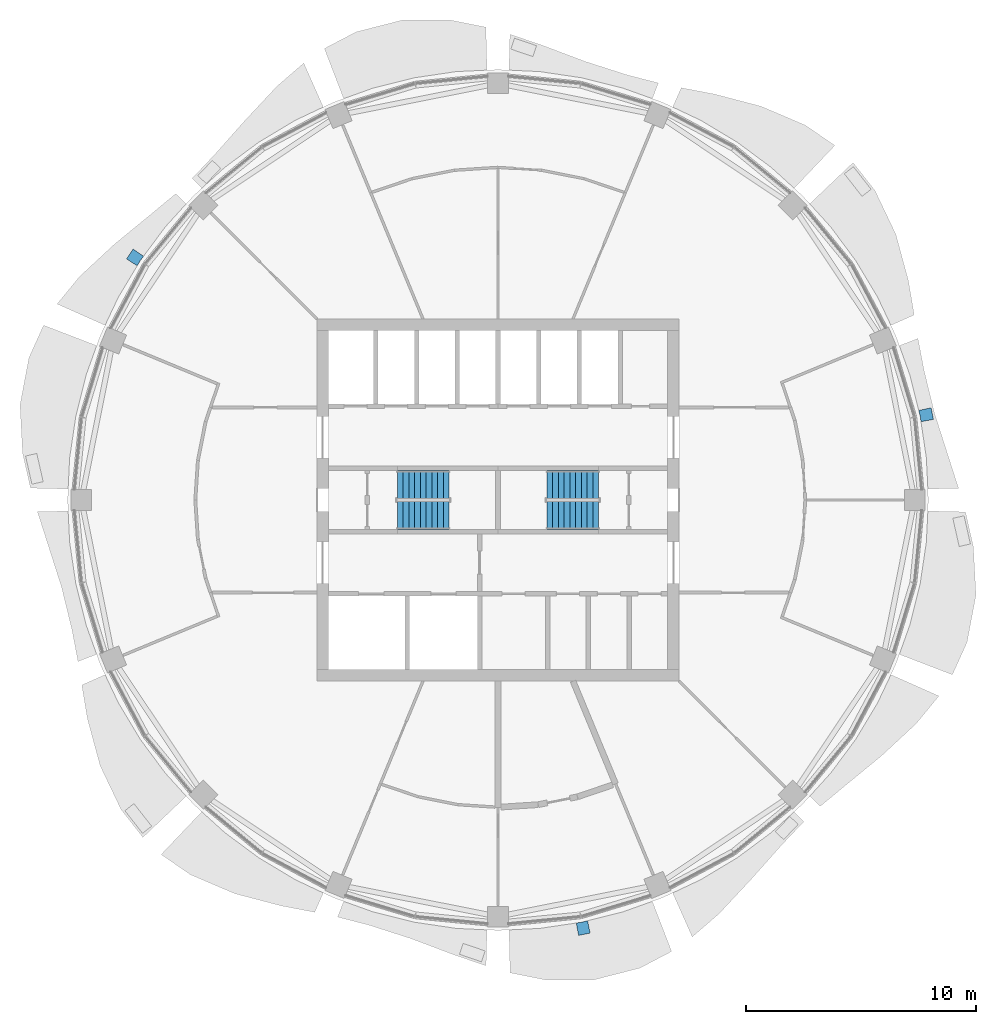
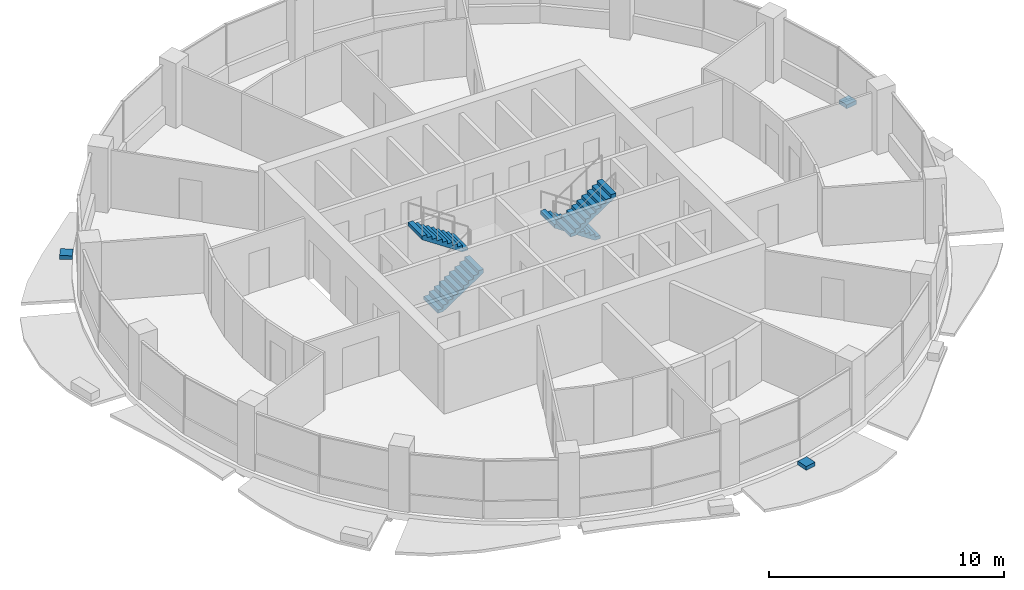
# One storey, part 11 of 15: 4 stair flights, 3 discrete accessories, 2 elements without a shape of their own.
"""IFC4 building model written with IfcOpenShell, lengths in metres."""

from ifc_helpers import new_model, si_unit, direction, frame, origin, place, context, subcontext, project, spatial, polyline, outline, extrude, material, type_object, element, aggregate, save


model = new_model("IFC4")

# Units and contexts
model_context = context("Model", 3, precision=1e-05, world=origin(), true_north=direction((0.0, 1.0)))
body_context = subcontext(model_context, "Body", "Model", "MODEL_VIEW")
ifc_project = project(units=[si_unit("LENGTHUNIT", "METRE"), si_unit("AREAUNIT", "SQUARE_METRE"), si_unit("VOLUMEUNIT", "CUBIC_METRE"), si_unit("PLANEANGLEUNIT", "RADIAN"), si_unit("MASSUNIT", "GRAM", prefix="KILO")], contexts=[model_context])

# Site, building, storey
site_placement = place(None, origin())
site = spatial("IfcSite", under=ifc_project, at=site_placement, CompositionType="ELEMENT")
building_placement = place(site_placement, origin())
building = spatial("IfcBuilding", under=site, at=building_placement, Name="Polderwave Tower", CompositionType="ELEMENT")
storey_placement = place(building_placement, frame((0.0, 0.0, 167.550048828125)))
storey = spatial("IfcBuildingStorey", under=building, at=storey_placement, Name="L44", CompositionType="ELEMENT", Elevation=167.550048828125)

# Stair, stair flights
ifc_material_1 = material(Name="Concrete C40/50", Category="concrete")
stair_type = type_object("IfcStairType", Name="Exit stair 1200 x 20 risers", PredefinedType="HALF_TURN_STAIR", material=ifc_material_1)
stair_1_placement = place(storey_placement, origin())
stair_1 = element("IfcStair", 1, at=stair_1_placement, inside=storey, type_object=stair_type, Name="L44 Exit stair A", PredefinedType="HALF_TURN_STAIR")
stair_flight_type = type_object("IfcStairFlightType", Name="Stair flight 1200", PredefinedType="STRAIGHT", material=ifc_material_1)
stair_flight_1_placement = place(storey_placement, frame((-4.3740234375, -0.675048828125, 0.0), z_axis=(0.0, 0.0, 1.0), x_axis=(1.0, 0.0, 0.0)))
stair_flight_1 = element("IfcStairFlight", 2, at=stair_flight_1_placement, type_object=stair_flight_type, Name="ST-A flight 1", NumberOfRisers=10, NumberOfTreads=9, PredefinedType="STRAIGHT", RiserHeight=0.1675, TreadLength=0.25, context=body_context, shape_type="SweptSolid", body=[
    extrude(outline(polyline([(0.0, 0.0), (0.0, 0.16748046875), (0.25, 0.16748046875), (0.25, 0.3349609375), (0.5, 0.3349609375), (0.5, 0.50244140625), (0.75, 0.50244140625), (0.75, 0.669921875), (1.0, 0.669921875), (1.0, 0.83740234375), (1.25, 0.83740234375), (1.25, 1.0048828125), (1.5, 1.0048828125), (1.5, 1.172607421875), (1.75, 1.172607421875), (1.75, 1.340087890625), (2.0, 1.340087890625), (2.0, 1.507568359375), (2.25, 1.507568359375), (2.25, 1.675048828125), (2.25, 1.3271484375), (0.269287109375, 0.0), (0.0, 0.0)])), frame((0.0, 0.60009765625, 0.0), z_axis=(0.0, -1.0, 0.0), x_axis=(1.0, 0.0, 0.0)), (0.0, 0.0, 1.0), 1.199951171875),
])
stair_flight_2_placement = place(storey_placement, frame((-2.1240234375, 0.675048828125, 1.675048828125), z_axis=(0.0, 0.0, 1.0), x_axis=(-1.0, 0.0, 0.0)))
stair_flight_2 = element("IfcStairFlight", 3, at=stair_flight_2_placement, type_object=stair_flight_type, Name="ST-A flight 2", NumberOfRisers=10, NumberOfTreads=9, PredefinedType="STRAIGHT", RiserHeight=0.1675, TreadLength=0.25, context=body_context, shape_type="SweptSolid", body=[
    extrude(outline(polyline([(0.0, 0.0), (0.0, 0.16748046875), (0.25, 0.16748046875), (0.25, 0.3349609375), (0.5, 0.3349609375), (0.5, 0.50244140625), (0.75, 0.50244140625), (0.75, 0.669921875), (1.0, 0.669921875), (1.0, 0.83740234375), (1.25, 0.83740234375), (1.25, 1.0048828125), (1.5, 1.0048828125), (1.5, 1.172607421875), (1.75, 1.172607421875), (1.75, 1.340087890625), (2.0, 1.340087890625), (2.0, 1.507568359375), (2.25, 1.507568359375), (2.25, 1.675048828125), (2.25, 1.3271484375), (0.269287109375, 0.0), (0.0, 0.0)])), frame((0.0, 0.60009765625, 0.0), z_axis=(0.0, -1.0, 0.0), x_axis=(1.0, 0.0, 0.0)), (0.0, 0.0, 1.0), 1.199951171875),
])
aggregate(stair_1, [stair_flight_1, stair_flight_2])

stair_2_placement = place(storey_placement, origin())
stair_2 = element("IfcStair", 4, at=stair_2_placement, inside=storey, type_object=stair_type, Name="L44 Exit stair B", PredefinedType="HALF_TURN_STAIR")
stair_flight_3_placement = place(storey_placement, frame((4.3740234375, 0.675048828125, 0.0), z_axis=(0.0, 0.0, 1.0), x_axis=(-1.0, 0.0, 0.0)))
stair_flight_3 = element("IfcStairFlight", 5, at=stair_flight_3_placement, type_object=stair_flight_type, Name="ST-B flight 1", NumberOfRisers=10, NumberOfTreads=9, PredefinedType="STRAIGHT", RiserHeight=0.1675, TreadLength=0.25, context=body_context, shape_type="SweptSolid", body=[
    extrude(outline(polyline([(0.0, 0.0), (0.0, 0.16748046875), (0.25, 0.16748046875), (0.25, 0.3349609375), (0.5, 0.3349609375), (0.5, 0.50244140625), (0.75, 0.50244140625), (0.75, 0.669921875), (1.0, 0.669921875), (1.0, 0.83740234375), (1.25, 0.83740234375), (1.25, 1.0048828125), (1.5, 1.0048828125), (1.5, 1.172607421875), (1.75, 1.172607421875), (1.75, 1.340087890625), (2.0, 1.340087890625), (2.0, 1.507568359375), (2.25, 1.507568359375), (2.25, 1.675048828125), (2.25, 1.3271484375), (0.269287109375, 0.0), (0.0, 0.0)])), frame((0.0, 0.60009765625, 0.0), z_axis=(0.0, -1.0, 0.0), x_axis=(1.0, 0.0, 0.0)), (0.0, 0.0, 1.0), 1.199951171875),
])
stair_flight_4_placement = place(storey_placement, frame((2.1240234375, -0.675048828125, 1.675048828125), z_axis=(0.0, 0.0, 1.0), x_axis=(1.0, 0.0, 0.0)))
stair_flight_4 = element("IfcStairFlight", 6, at=stair_flight_4_placement, type_object=stair_flight_type, Name="ST-B flight 2", NumberOfRisers=10, NumberOfTreads=9, PredefinedType="STRAIGHT", RiserHeight=0.1675, TreadLength=0.25, context=body_context, shape_type="SweptSolid", body=[
    extrude(outline(polyline([(0.0, 0.0), (0.0, 0.16748046875), (0.25, 0.16748046875), (0.25, 0.3349609375), (0.5, 0.3349609375), (0.5, 0.50244140625), (0.75, 0.50244140625), (0.75, 0.669921875), (1.0, 0.669921875), (1.0, 0.83740234375), (1.25, 0.83740234375), (1.25, 1.0048828125), (1.5, 1.0048828125), (1.5, 1.172607421875), (1.75, 1.172607421875), (1.75, 1.340087890625), (2.0, 1.340087890625), (2.0, 1.507568359375), (2.25, 1.507568359375), (2.25, 1.675048828125), (2.25, 1.3271484375), (0.269287109375, 0.0), (0.0, 0.0)])), frame((0.0, 0.60009765625, 0.0), z_axis=(0.0, -1.0, 0.0), x_axis=(1.0, 0.0, 0.0)), (0.0, 0.0, 1.0), 1.199951171875),
])
aggregate(stair_2, [stair_flight_3, stair_flight_4])

# Discrete accessories
ifc_material_2 = material(Name="Steel S355", Category="steel")
discrete_accessory_type = type_object("IfcDiscreteAccessoryType", Name="Band bracket pad", PredefinedType="BRACKET", material=ifc_material_2)
discrete_accessory_1_placement = place(storey_placement, frame((0.0, 0.0, -0.199951171875)))
element("IfcDiscreteAccessory", 7, at=discrete_accessory_1_placement, inside=storey, type_object=discrete_accessory_type, Name="Band bracket L44 1", PredefinedType="BRACKET", context=body_context, shape_type="SweptSolid", body=[
    extrude(outline(polyline([(18.37744140625, 3.40087890625), (18.3408203125, 3.648193359375), (18.27978515625, 3.890625), (18.81787109375, 4.005126953125), (18.918212890625, 3.5009765625), (18.37744140625, 3.40087890625)])), origin(), (0.0, 0.0, 1.0), 0.199951171875),
])
discrete_accessory_2_placement = place(storey_placement, frame((0.0, 0.0, -0.199951171875)))
element("IfcDiscreteAccessory", 8, at=discrete_accessory_2_placement, inside=storey, type_object=discrete_accessory_type, Name="Band bracket L44 7", PredefinedType="BRACKET", context=body_context, shape_type="SweptSolid", body=[
    extrude(outline(polyline([(-15.399658203125, 10.590087890625), (-15.548583984375, 10.38916015625), (-15.677001953125, 10.1748046875), (-16.138427734375, 10.47412109375), (-15.852783203125, 10.901611328125), (-15.399658203125, 10.590087890625)])), origin(), (0.0, 0.0, 1.0), 0.199951171875),
])
discrete_accessory_3_placement = place(storey_placement, frame((0.0, 0.0, -0.199951171875)))
element("IfcDiscreteAccessory", 9, at=discrete_accessory_3_placement, inside=storey, type_object=discrete_accessory_type, Name="Band bracket L44 13", PredefinedType="BRACKET", context=body_context, shape_type="SweptSolid", body=[
    extrude(outline(polyline([(3.40087890625, -18.37744140625), (3.648193359375, -18.3408203125), (3.890625, -18.27978515625), (4.005126953125, -18.81787109375), (3.5009765625, -18.918212890625), (3.40087890625, -18.37744140625)])), origin(), (0.0, 0.0, 1.0), 0.199951171875),
])

save(model, "model.ifc")
